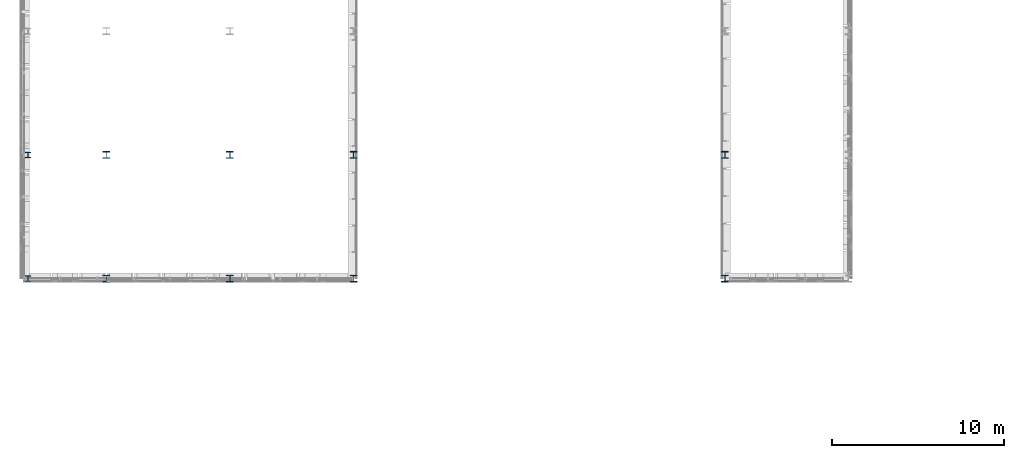
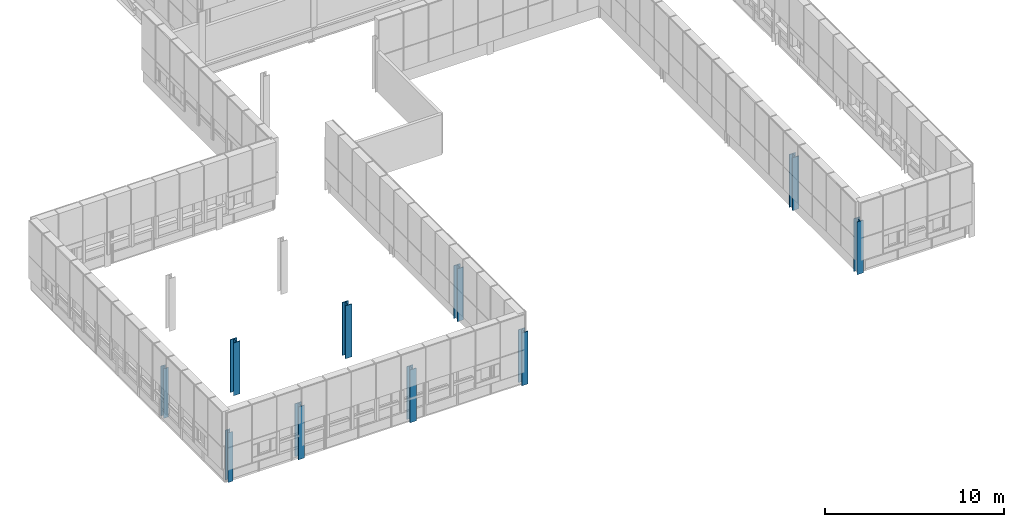
# One storey, part 1 of 96: 10 columns.
"""IFC4 building model written with IfcOpenShell, lengths in metres."""

import ifcopenshell
import ifcopenshell.guid

model = None  # the IFC model being written
_history = None  # IfcOwnerHistory: only IFC2X3 demands one
_inside = {}  # id of a spatial element -> (the spatial element, [elements in it])
_under = {}  # id of a project, library or spatial element -> (it, [spatial elements below it])
_declared = {}  # id of a project -> (the project, [libraries it declares])
_typed = {}  # id of a type object -> (the type object, [elements of that type])
_made_of = {}  # id of a material, layer set ... -> (it, [elements and type objects made of it])


def new_model(schema):
    """Start an empty IFC model of exactly this schema.

    Asked for "IFC4X3", IfcOpenShell would pick the latest addendum, in which some entities
    have other attributes; the version numbers below select the first issue.
    IFC2X3 requires an IfcOwnerHistory on every rooted entity: one is made here for all.
    """
    global model, _history
    if schema == "IFC4X3":
        model = ifcopenshell.file(schema_version=(4, 3, 0, 0))
    else:
        model = ifcopenshell.file(schema=schema)
    _inside.clear()
    _under.clear()
    _declared.clear()
    _typed.clear()
    _made_of.clear()
    _history = None
    if model.schema == "IFC2X3":
        org = make("IfcOrganization", Name="unknown")
        user = make(
            "IfcPersonAndOrganization",
            ThePerson=make("IfcPerson", FamilyName="unknown"),
            TheOrganization=org,
        )
        app = make(
            "IfcApplication",
            ApplicationDeveloper=org,
            Version="unknown",
            ApplicationFullName="unknown",
            ApplicationIdentifier="unknown",
        )
        _history = make(
            "IfcOwnerHistory",
            OwningUser=user,
            OwningApplication=app,
            ChangeAction="ADDED",
            CreationDate=0,
        )
    return model


def make(cls, **values):
    """One entity of the class cls with the attributes given. An attribute that is None is left unset."""
    return model.create_entity(
        cls, **{name: value for name, value in values.items() if value is not None}
    )


def rooted(cls, **values):
    """An entity with a GlobalId (a new one), such as an element, a storey or a relation."""
    return make(cls, GlobalId=ifcopenshell.guid.new(), OwnerHistory=_history, **values)


def si_unit(unit_type, name, prefix=None):
    """IfcSIUnit, for example si_unit("LENGTHUNIT", "METRE", prefix="MILLI")."""
    return make("IfcSIUnit", UnitType=unit_type, Prefix=prefix, Name=name)


def assignment(units):
    """IfcUnitAssignment: the units of a project."""
    return None if units is None else make("IfcUnitAssignment", Units=units)


def point(xyz):
    """IfcCartesianPoint."""
    return None if xyz is None else make("IfcCartesianPoint", Coordinates=xyz)


def direction(xyz):
    """IfcDirection."""
    return None if xyz is None else make("IfcDirection", DirectionRatios=xyz)


def frame(location, z_axis=None, x_axis=None):
    """IfcAxis2Placement3D, a coordinate frame: its origin and axes. An axis left out is left unset."""
    return make(
        "IfcAxis2Placement3D",
        Location=point(location),
        Axis=direction(z_axis),
        RefDirection=direction(x_axis),
    )


def frame_2d(location, x_axis=None):
    """IfcAxis2Placement2D, a coordinate frame in the plane: its origin and x axis."""
    return make(
        "IfcAxis2Placement2D", Location=point(location), RefDirection=direction(x_axis)
    )


def origin():
    """The frame at (0, 0, 0) with its axes left unset."""
    return frame((0.0, 0.0, 0.0))


def origin_2d():
    """The frame at (0, 0) in the plane with its x axis left unset."""
    return frame_2d((0.0, 0.0))


def place(relative_to, where):
    """IfcLocalPlacement: puts the frame where relative to a parent placement (None: the world)."""
    return make(
        "IfcLocalPlacement", PlacementRelTo=relative_to, RelativePlacement=where
    )


def context(
    kind, dimensions, precision=None, world=None, true_north=None, identifier=None
):
    """IfcGeometricRepresentationContext, for example the 3D "Model" context."""
    return make(
        "IfcGeometricRepresentationContext",
        ContextIdentifier=identifier,
        ContextType=kind,
        CoordinateSpaceDimension=dimensions,
        Precision=precision,
        WorldCoordinateSystem=world,
        TrueNorth=true_north,
    )


def subcontext(parent, identifier, kind, view, scale=None):
    """IfcGeometricRepresentationSubContext, for example "Body" below "Model"."""
    return make(
        "IfcGeometricRepresentationSubContext",
        ContextIdentifier=identifier,
        ContextType=kind,
        ParentContext=parent,
        TargetScale=scale,
        TargetView=view,
    )


def project(units=None, contexts=None):
    """IfcProject with its units and contexts."""
    return rooted(
        "IfcProject",
        Name="project",
        RepresentationContexts=contexts,
        UnitsInContext=assignment(units),
    )


def spatial(cls, under=None, at=None, **own):
    """A site, building, storey or space (cls), placed at a placement, below another one or the project."""
    s = rooted(cls, ObjectPlacement=at, **own)
    if under is not None:
        _under.setdefault(under.id(), (under, []))[1].append(s)
    return s


def profile(cls, at=None, kind="AREA", **sizes):
    """A parametric profile (cls). Its sizes go by their IFC names, for example OverallWidth=200.0."""
    return make(cls, ProfileType=kind, Position=at, **sizes)


def i_section(**sizes):
    """IfcIShapeProfileDef."""
    return profile("IfcIShapeProfileDef", **sizes)


def extrude(swept, where, along, depth):
    """IfcExtrudedAreaSolid: the profile swept, set in the frame where, extruded along a direction by depth."""
    return make(
        "IfcExtrudedAreaSolid",
        SweptArea=swept,
        Position=where,
        ExtrudedDirection=direction(along),
        Depth=depth,
    )


def shape(context_of_items, identifier, shape_type, items):
    """IfcShapeRepresentation: the items that make up one representation, for example the "Body"."""
    return make(
        "IfcShapeRepresentation",
        ContextOfItems=context_of_items,
        RepresentationIdentifier=identifier,
        RepresentationType=shape_type,
        Items=items,
    )


def material(Name=None, Category=None):
    """IfcMaterial."""
    return make("IfcMaterial", Name=Name, Category=Category)


def material_profile(
    of_material, cross_section, Name=None, Category=None, Priority=None
):
    """IfcMaterialProfile: a cross section and its material."""
    return make(
        "IfcMaterialProfile",
        Name=Name,
        Material=of_material,
        Profile=cross_section,
        Priority=Priority,
        Category=Category,
    )


def profile_set(profiles, Name=None, composite=None):
    """IfcMaterialProfileSet."""
    return make(
        "IfcMaterialProfileSet",
        Name=Name,
        MaterialProfiles=profiles,
        CompositeProfile=composite,
    )


def made_of(thing, what):
    """Note that an element or type object is made of a material, layer set ...; save() writes the relation."""
    if what is not None:
        _made_of.setdefault(what.id(), (what, []))[1].append(thing)
    return thing


def type_object(cls, material=None, **own):
    """A type object (cls), such as IfcWallType, which elements share."""
    return made_of(rooted(cls, **own), material)


def element(
    cls,
    number,
    at=None,
    inside=None,
    cuts=None,
    type_object=None,
    material=None,
    context=None,
    identifier="Body",
    shape_type=None,
    held_by="IfcProductDefinitionShape",
    body=None,
    shapes=None,
    **own,
):
    """One element of the class cls, such as IfcWall. Its Tag is "e" and its number.

    at: its placement. inside: the storey or other place that contains it. cuts: it is an
    opening in that element (IfcRelVoidsElement). A single representation is given by context,
    identifier, shape_type and body (its items); several are given by shapes. held_by: the class
    of the entity that holds the representations. save() writes the other relations.
    """
    e = rooted(cls, Tag="e%d" % number, ObjectPlacement=at, **own)
    if body is not None:
        shapes = [shape(context, identifier, shape_type, body)]
    if shapes is not None:
        e.Representation = make(held_by, Representations=shapes)
    if inside is not None:
        _inside.setdefault(inside.id(), (inside, []))[1].append(e)
    if cuts is not None:
        rooted(
            "IfcRelVoidsElement", RelatingBuildingElement=cuts, RelatedOpeningElement=e
        )
    if type_object is not None:
        _typed.setdefault(type_object.id(), (type_object, []))[1].append(e)
    return made_of(e, material)


def aggregate(whole, parts):
    """IfcRelAggregates: a whole, such as a stair, and the parts it consists of."""
    return rooted("IfcRelAggregates", RelatingObject=whole, RelatedObjects=parts)


def save(model, path):
    """Write the relations noted so far, then the file.

    IfcRelAggregates (storeys below a building ...), IfcRelContainedInSpatialStructure (elements
    in a storey), IfcRelDefinesByType, IfcRelAssociatesMaterial and IfcRelDeclares: one each for
    every whole, place, type object, material and project.
    """
    for whole, parts in _under.values():
        aggregate(whole, parts)
    for where, things in _inside.values():
        rooted(
            "IfcRelContainedInSpatialStructure",
            RelatedElements=things,
            RelatingStructure=where,
        )
    for kind, things in _typed.values():
        rooted("IfcRelDefinesByType", RelatedObjects=things, RelatingType=kind)
    for what, things in _made_of.values():
        rooted("IfcRelAssociatesMaterial", RelatedObjects=things, RelatingMaterial=what)
    for by, libraries in _declared.values():
        rooted("IfcRelDeclares", RelatingContext=by, RelatedDefinitions=libraries)
    model.write(path)


model = new_model("IFC4")

# Units and contexts
model_context = context("Model", 3, precision=1e-05, world=origin(), true_north=direction((0.0, 1.0)))
body_context = subcontext(model_context, "Body", "Model", "MODEL_VIEW")
ifc_project = project(units=[si_unit("LENGTHUNIT", "METRE"), si_unit("AREAUNIT", "SQUARE_METRE"), si_unit("VOLUMEUNIT", "CUBIC_METRE"), si_unit("PLANEANGLEUNIT", "RADIAN"), si_unit("MASSUNIT", "GRAM", prefix="KILO")], contexts=[model_context])

# Site, building, storey
site_placement = place(None, origin())
site = spatial("IfcSite", under=ifc_project, at=site_placement, CompositionType="ELEMENT")
building_placement = place(site_placement, origin())
building = spatial("IfcBuilding", under=site, at=building_placement, Name="Yarey Park Central Fire Station", CompositionType="ELEMENT")
storey_placement = place(building_placement, frame((0.0, 0.0, 14.39990234375)))
storey = spatial("IfcBuildingStorey", under=building, at=storey_placement, Name="L04", CompositionType="ELEMENT", Elevation=14.39990234375)

# Columns
ifc_material = material(Name="Steel ASTM A992 Gr. 50", Category="steel")
ifc_material_profile_1 = material_profile(ifc_material, i_section(OverallWidth=0.30908203125, OverallDepth=0.322998046875, WebThickness=0.013916015625, FlangeThickness=0.02294921875, at=origin_2d()), Name="W310x143")
ifc_profile_set_1 = profile_set([ifc_material_profile_1], Name="Steel ASTM A992 Gr. 50")
column_type_1 = type_object("IfcColumnType", Name="STR_COL_W310_EXT", PredefinedType="COLUMN", material=ifc_profile_set_1)
for number, where, z_axis, x_axis, name in (
    (1, (9.85009765625, 21.60009765625, 0.0), (0.0, 0.0, 1.0), (1.0, 0.0, 0.0), "COL_L04_NOSE_Y216"),
    (2, (9.85009765625, 28.800048828125, 0.0), (0.0, 0.0, 1.0), (1.0, 0.0, 0.0), "COL_L04_NOSE_Y288"),
):
    element("IfcColumn", number, at=place(storey_placement, frame(where, z_axis=z_axis, x_axis=x_axis)), inside=storey, type_object=column_type_1, Name=name, PredefinedType="COLUMN", context=body_context, shape_type="SweptSolid", body=[
        extrude(i_section(OverallWidth=0.30908203125, OverallDepth=0.322998046875, WebThickness=0.013916015625, FlangeThickness=0.02294921875, at=origin_2d()), origin(), (0.0, 0.0, 1.0), 3.39013671875),
    ])
ifc_material_profile_2 = material_profile(ifc_material, i_section(OverallWidth=0.404052734375, OverallDepth=0.406982421875, WebThickness=0.027099609375, FlangeThickness=0.043701171875, at=origin_2d()), Name="W360x347")
ifc_profile_set_2 = profile_set([ifc_material_profile_2], Name="Steel ASTM A992 Gr. 50")
column_type_2 = type_object("IfcColumnType", Name="STR_COL_W360_EXT", PredefinedType="COLUMN", material=ifc_profile_set_2)
for number, where, z_axis, x_axis, name in (
    (3, (14.39990234375, 21.60009765625, 0.0), (0.0, 0.0, 1.0), (1.0, 0.0, 0.0), "COL_L04_X144_Y216"),
    (4, (14.39990234375, 28.800048828125, 0.0), (0.0, 0.0, 1.0), (1.0, 0.0, 0.0), "COL_L04_X144_Y288"),
    (5, (21.60009765625, 21.60009765625, 0.0), (0.0, 0.0, 1.0), (1.0, 0.0, 0.0), "COL_L04_X216_Y216"),
    (6, (28.800048828125, 21.60009765625, 0.0), (0.0, 0.0, 1.0), (1.0, 0.0, 0.0), "COL_L04_X288_Y216"),
    (7, (50.39990234375, 21.60009765625, 0.0), (0.0, 0.0, 1.0), (1.0, 0.0, 0.0), "COL_L04_X504_Y216"),
):
    element("IfcColumn", number, at=place(storey_placement, frame(where, z_axis=z_axis, x_axis=x_axis)), inside=storey, type_object=column_type_2, Name=name, PredefinedType="COLUMN", context=body_context, shape_type="SweptSolid", body=[
        extrude(i_section(OverallWidth=0.404052734375, OverallDepth=0.406982421875, WebThickness=0.027099609375, FlangeThickness=0.043701171875, at=origin_2d()), origin(), (0.0, 0.0, 1.0), 3.60009765625),
    ])
ifc_material_profile_3 = material_profile(ifc_material, i_section(OverallWidth=0.404052734375, OverallDepth=0.406982421875, WebThickness=0.027099609375, FlangeThickness=0.043701171875, at=origin_2d()), Name="W360x347")
ifc_profile_set_3 = profile_set([ifc_material_profile_3], Name="Steel ASTM A992 Gr. 50")
column_type_3 = type_object("IfcColumnType", Name="STR_COL_W360_INT", PredefinedType="COLUMN", material=ifc_profile_set_3)
for number, where, z_axis, x_axis, name in (
    (8, (21.60009765625, 28.800048828125, 0.0), (0.0, 0.0, 1.0), (1.0, 0.0, 0.0), "COL_L04_X216_Y288"),
    (9, (28.800048828125, 28.800048828125, 0.0), (0.0, 0.0, 1.0), (1.0, 0.0, 0.0), "COL_L04_X288_Y288"),
    (10, (50.39990234375, 28.800048828125, 0.0), (0.0, 0.0, 1.0), (1.0, 0.0, 0.0), "COL_L04_X504_Y288"),
):
    element("IfcColumn", number, at=place(storey_placement, frame(where, z_axis=z_axis, x_axis=x_axis)), inside=storey, type_object=column_type_3, Name=name, PredefinedType="COLUMN", context=body_context, shape_type="SweptSolid", body=[
        extrude(i_section(OverallWidth=0.404052734375, OverallDepth=0.406982421875, WebThickness=0.027099609375, FlangeThickness=0.043701171875, at=origin_2d()), origin(), (0.0, 0.0, 1.0), 3.60009765625),
    ])

save(model, "model.ifc")
